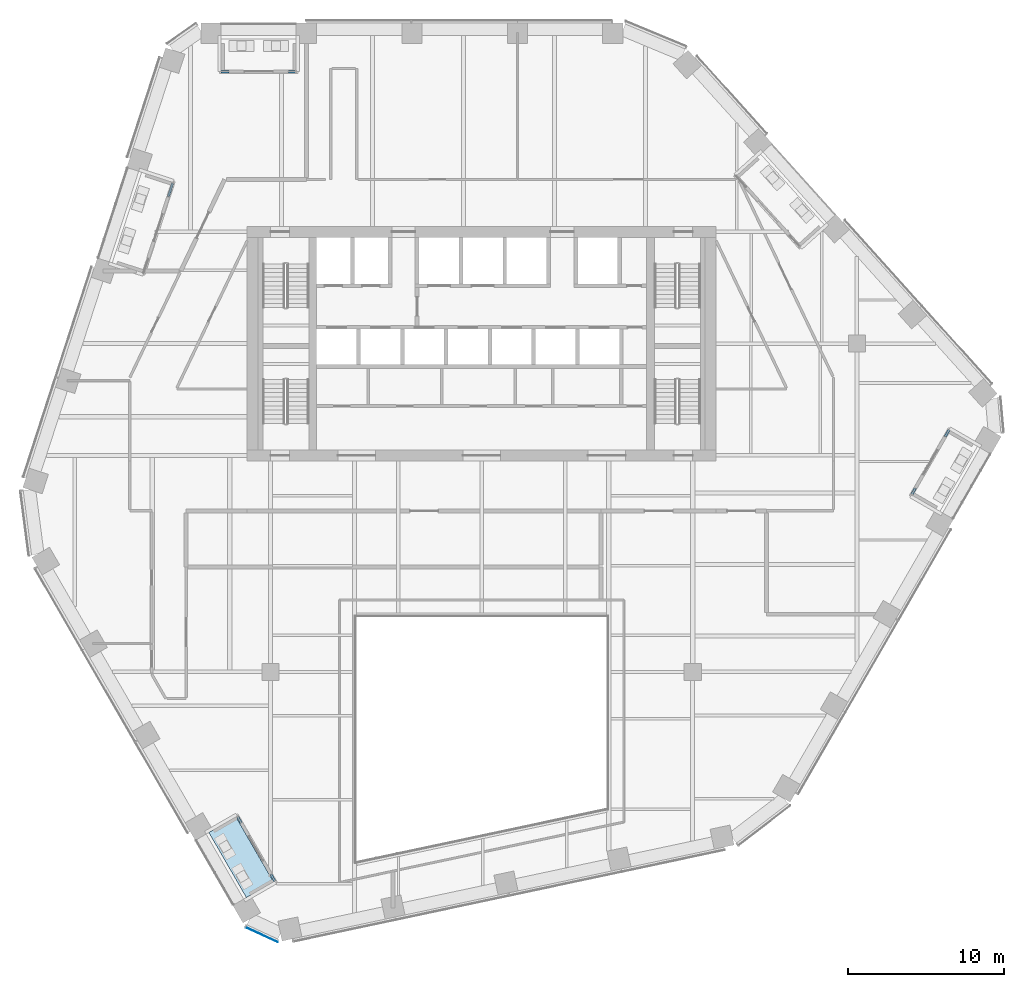
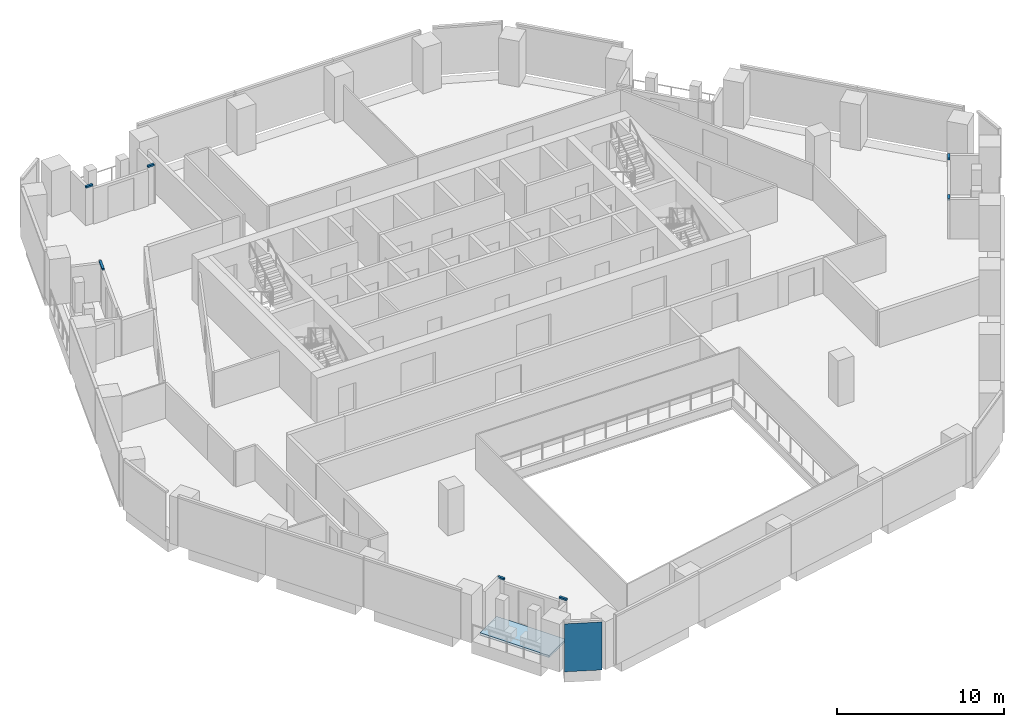
# One storey, part 12 of 26: 7 members, 1 plate, 1 slab, 5 elements without a shape of their own.
"""IFC4 building model written with IfcOpenShell, lengths in metres."""

import ifcopenshell
import ifcopenshell.guid

model = None  # the IFC model being written
_history = None  # IfcOwnerHistory: only IFC2X3 demands one
_inside = {}  # id of a spatial element -> (the spatial element, [elements in it])
_under = {}  # id of a project, library or spatial element -> (it, [spatial elements below it])
_declared = {}  # id of a project -> (the project, [libraries it declares])
_typed = {}  # id of a type object -> (the type object, [elements of that type])
_made_of = {}  # id of a material, layer set ... -> (it, [elements and type objects made of it])


def new_model(schema):
    """Start an empty IFC model of exactly this schema.

    Asked for "IFC4X3", IfcOpenShell would pick the latest addendum, in which some entities
    have other attributes; the version numbers below select the first issue.
    IFC2X3 requires an IfcOwnerHistory on every rooted entity: one is made here for all.
    """
    global model, _history
    if schema == "IFC4X3":
        model = ifcopenshell.file(schema_version=(4, 3, 0, 0))
    else:
        model = ifcopenshell.file(schema=schema)
    _inside.clear()
    _under.clear()
    _declared.clear()
    _typed.clear()
    _made_of.clear()
    _history = None
    if model.schema == "IFC2X3":
        org = make("IfcOrganization", Name="unknown")
        user = make(
            "IfcPersonAndOrganization",
            ThePerson=make("IfcPerson", FamilyName="unknown"),
            TheOrganization=org,
        )
        app = make(
            "IfcApplication",
            ApplicationDeveloper=org,
            Version="unknown",
            ApplicationFullName="unknown",
            ApplicationIdentifier="unknown",
        )
        _history = make(
            "IfcOwnerHistory",
            OwningUser=user,
            OwningApplication=app,
            ChangeAction="ADDED",
            CreationDate=0,
        )
    return model


def make(cls, **values):
    """One entity of the class cls with the attributes given. An attribute that is None is left unset."""
    return model.create_entity(
        cls, **{name: value for name, value in values.items() if value is not None}
    )


def rooted(cls, **values):
    """An entity with a GlobalId (a new one), such as an element, a storey or a relation."""
    return make(cls, GlobalId=ifcopenshell.guid.new(), OwnerHistory=_history, **values)


def si_unit(unit_type, name, prefix=None):
    """IfcSIUnit, for example si_unit("LENGTHUNIT", "METRE", prefix="MILLI")."""
    return make("IfcSIUnit", UnitType=unit_type, Prefix=prefix, Name=name)


def assignment(units):
    """IfcUnitAssignment: the units of a project."""
    return None if units is None else make("IfcUnitAssignment", Units=units)


def point(xyz):
    """IfcCartesianPoint."""
    return None if xyz is None else make("IfcCartesianPoint", Coordinates=xyz)


def direction(xyz):
    """IfcDirection."""
    return None if xyz is None else make("IfcDirection", DirectionRatios=xyz)


def frame(location, z_axis=None, x_axis=None):
    """IfcAxis2Placement3D, a coordinate frame: its origin and axes. An axis left out is left unset."""
    return make(
        "IfcAxis2Placement3D",
        Location=point(location),
        Axis=direction(z_axis),
        RefDirection=direction(x_axis),
    )


def frame_2d(location, x_axis=None):
    """IfcAxis2Placement2D, a coordinate frame in the plane: its origin and x axis."""
    return make(
        "IfcAxis2Placement2D", Location=point(location), RefDirection=direction(x_axis)
    )


def origin():
    """The frame at (0, 0, 0) with its axes left unset."""
    return frame((0.0, 0.0, 0.0))


def origin_2d():
    """The frame at (0, 0) in the plane with its x axis left unset."""
    return frame_2d((0.0, 0.0))


def place(relative_to, where):
    """IfcLocalPlacement: puts the frame where relative to a parent placement (None: the world)."""
    return make(
        "IfcLocalPlacement", PlacementRelTo=relative_to, RelativePlacement=where
    )


def context(
    kind, dimensions, precision=None, world=None, true_north=None, identifier=None
):
    """IfcGeometricRepresentationContext, for example the 3D "Model" context."""
    return make(
        "IfcGeometricRepresentationContext",
        ContextIdentifier=identifier,
        ContextType=kind,
        CoordinateSpaceDimension=dimensions,
        Precision=precision,
        WorldCoordinateSystem=world,
        TrueNorth=true_north,
    )


def subcontext(parent, identifier, kind, view, scale=None):
    """IfcGeometricRepresentationSubContext, for example "Body" below "Model"."""
    return make(
        "IfcGeometricRepresentationSubContext",
        ContextIdentifier=identifier,
        ContextType=kind,
        ParentContext=parent,
        TargetScale=scale,
        TargetView=view,
    )


def project(units=None, contexts=None):
    """IfcProject with its units and contexts."""
    return rooted(
        "IfcProject",
        Name="project",
        RepresentationContexts=contexts,
        UnitsInContext=assignment(units),
    )


def spatial(cls, under=None, at=None, **own):
    """A site, building, storey or space (cls), placed at a placement, below another one or the project."""
    s = rooted(cls, ObjectPlacement=at, **own)
    if under is not None:
        _under.setdefault(under.id(), (under, []))[1].append(s)
    return s


def polyline(points):
    """IfcPolyline through the points."""
    return make("IfcPolyline", Points=[point(p) for p in points])


def profile(cls, at=None, kind="AREA", **sizes):
    """A parametric profile (cls). Its sizes go by their IFC names, for example OverallWidth=200.0."""
    return make(cls, ProfileType=kind, Position=at, **sizes)


def rectangle(**sizes):
    """IfcRectangleProfileDef."""
    return profile("IfcRectangleProfileDef", **sizes)


def outline(outer, holes=None, kind="AREA"):
    """IfcArbitraryClosedProfileDef: a profile drawn as a closed curve; with holes, ...WithVoids."""
    if holes is None:
        return make("IfcArbitraryClosedProfileDef", ProfileType=kind, OuterCurve=outer)
    return make(
        "IfcArbitraryProfileDefWithVoids",
        ProfileType=kind,
        OuterCurve=outer,
        InnerCurves=holes,
    )


def extrude(swept, where, along, depth):
    """IfcExtrudedAreaSolid: the profile swept, set in the frame where, extruded along a direction by depth."""
    return make(
        "IfcExtrudedAreaSolid",
        SweptArea=swept,
        Position=where,
        ExtrudedDirection=direction(along),
        Depth=depth,
    )


def shape(context_of_items, identifier, shape_type, items):
    """IfcShapeRepresentation: the items that make up one representation, for example the "Body"."""
    return make(
        "IfcShapeRepresentation",
        ContextOfItems=context_of_items,
        RepresentationIdentifier=identifier,
        RepresentationType=shape_type,
        Items=items,
    )


def material(Name=None, Category=None):
    """IfcMaterial."""
    return make("IfcMaterial", Name=Name, Category=Category)


def layer(
    of_material, thickness, ventilated=None, Name=None, Category=None, Priority=None
):
    """IfcMaterialLayer: one layer of a wall or slab, of a material (None: an air gap)."""
    return make(
        "IfcMaterialLayer",
        Material=of_material,
        LayerThickness=thickness,
        IsVentilated=ventilated,
        Name=Name,
        Category=Category,
        Priority=Priority,
    )


def layer_set(layers, Name=None):
    """IfcMaterialLayerSet."""
    return make("IfcMaterialLayerSet", MaterialLayers=layers, LayerSetName=Name)


def material_profile(
    of_material, cross_section, Name=None, Category=None, Priority=None
):
    """IfcMaterialProfile: a cross section and its material."""
    return make(
        "IfcMaterialProfile",
        Name=Name,
        Material=of_material,
        Profile=cross_section,
        Priority=Priority,
        Category=Category,
    )


def profile_set(profiles, Name=None, composite=None):
    """IfcMaterialProfileSet."""
    return make(
        "IfcMaterialProfileSet",
        Name=Name,
        MaterialProfiles=profiles,
        CompositeProfile=composite,
    )


def made_of(thing, what):
    """Note that an element or type object is made of a material, layer set ...; save() writes the relation."""
    if what is not None:
        _made_of.setdefault(what.id(), (what, []))[1].append(thing)
    return thing


def type_object(cls, material=None, **own):
    """A type object (cls), such as IfcWallType, which elements share."""
    return made_of(rooted(cls, **own), material)


def element(
    cls,
    number,
    at=None,
    inside=None,
    cuts=None,
    type_object=None,
    material=None,
    context=None,
    identifier="Body",
    shape_type=None,
    held_by="IfcProductDefinitionShape",
    body=None,
    shapes=None,
    **own,
):
    """One element of the class cls, such as IfcWall. Its Tag is "e" and its number.

    at: its placement. inside: the storey or other place that contains it. cuts: it is an
    opening in that element (IfcRelVoidsElement). A single representation is given by context,
    identifier, shape_type and body (its items); several are given by shapes. held_by: the class
    of the entity that holds the representations. save() writes the other relations.
    """
    e = rooted(cls, Tag="e%d" % number, ObjectPlacement=at, **own)
    if body is not None:
        shapes = [shape(context, identifier, shape_type, body)]
    if shapes is not None:
        e.Representation = make(held_by, Representations=shapes)
    if inside is not None:
        _inside.setdefault(inside.id(), (inside, []))[1].append(e)
    if cuts is not None:
        rooted(
            "IfcRelVoidsElement", RelatingBuildingElement=cuts, RelatedOpeningElement=e
        )
    if type_object is not None:
        _typed.setdefault(type_object.id(), (type_object, []))[1].append(e)
    return made_of(e, material)


def aggregate(whole, parts):
    """IfcRelAggregates: a whole, such as a stair, and the parts it consists of."""
    return rooted("IfcRelAggregates", RelatingObject=whole, RelatedObjects=parts)


def save(model, path):
    """Write the relations noted so far, then the file.

    IfcRelAggregates (storeys below a building ...), IfcRelContainedInSpatialStructure (elements
    in a storey), IfcRelDefinesByType, IfcRelAssociatesMaterial and IfcRelDeclares: one each for
    every whole, place, type object, material and project.
    """
    for whole, parts in _under.values():
        aggregate(whole, parts)
    for where, things in _inside.values():
        rooted(
            "IfcRelContainedInSpatialStructure",
            RelatedElements=things,
            RelatingStructure=where,
        )
    for kind, things in _typed.values():
        rooted("IfcRelDefinesByType", RelatedObjects=things, RelatingType=kind)
    for what, things in _made_of.values():
        rooted("IfcRelAssociatesMaterial", RelatedObjects=things, RelatingMaterial=what)
    for by, libraries in _declared.values():
        rooted("IfcRelDeclares", RelatingContext=by, RelatedDefinitions=libraries)
    model.write(path)


model = new_model("IFC4")

# Units and contexts
model_context = context("Model", 3, precision=1e-05, world=origin(), true_north=direction((0.0, 1.0)))
body_context = subcontext(model_context, "Body", "Model", "MODEL_VIEW")
ifc_project = project(units=[si_unit("LENGTHUNIT", "METRE"), si_unit("AREAUNIT", "SQUARE_METRE"), si_unit("VOLUMEUNIT", "CUBIC_METRE"), si_unit("PLANEANGLEUNIT", "RADIAN"), si_unit("MASSUNIT", "GRAM", prefix="KILO")], contexts=[model_context])

# Site, building, storey
site_placement = place(None, origin())
site = spatial("IfcSite", under=ifc_project, at=site_placement, CompositionType="ELEMENT")
building_placement = place(site_placement, origin())
building = spatial("IfcBuilding", under=site, at=building_placement, Name="Isthmus Gate Tower", CompositionType="ELEMENT")
storey_placement = place(building_placement, frame((0.0, 0.0, 203.64990234375)))
storey = spatial("IfcBuildingStorey", under=building, at=storey_placement, Name="L51", CompositionType="ELEMENT", Elevation=203.64990234375)

# Curtain wall, members
ifc_material_1 = material(Name="Aluminium, pale champagne anodised", Category="aluminium")
ifc_layer_1 = layer(ifc_material_1, 0.14990234375)
ifc_layer_set_1 = layer_set([ifc_layer_1], Name="CW-6 LOGGIA BACK WALL GLAZING 150 DEEP")
curtain_wall_type_1 = type_object("IfcCurtainWallType", Name="CW-6 LOGGIA BACK WALL GLAZING 150 DEEP", PredefinedType="NOTDEFINED", material=ifc_layer_set_1)
curtain_wall_1_placement = place(storey_placement, origin())
curtain_wall_1 = element("IfcCurtainWall", 1, at=curtain_wall_1_placement, inside=storey, type_object=curtain_wall_type_1, Name="CW-6 N L51", PredefinedType="NOTDEFINED")
ifc_material_2 = material(Name="Aluminium, pale champagne anodised", Category="aluminium")
ifc_material_profile = material_profile(ifc_material_2, rectangle(XDim=0.14990234375, YDim=0.1201171875, at=origin_2d()), Name="150x120")
ifc_profile_set = profile_set([ifc_material_profile], Name="Aluminium, pale champagne anodised")
member_type = type_object("IfcMemberType", Name="CW-6 TRANSOM 150 X 120", PredefinedType="USERDEFINED", material=ifc_profile_set)
member_1_placement = place(storey_placement, frame((-11.921875, 24.89990234375, 2.840087890625), z_axis=(-1.0, 0.0, 0.0), x_axis=(0.0, -1.0, 0.0)))
member_1 = element("IfcMember", 2, at=member_1_placement, type_object=member_type, Name="CW-6 transom", ObjectType="TRANSOM", PredefinedType="USERDEFINED", context=body_context, shape_type="SweptSolid", body=[
    extrude(rectangle(XDim=0.14990234375, YDim=0.1201171875, at=origin_2d()), origin(), (0.0, 0.0, 1.0), 0.43994140625),
])
member_2_placement = place(storey_placement, frame((-16.161865234375, 24.89990234375, 2.840087890625), z_axis=(-1.0, 0.0, 0.0), x_axis=(0.0, -1.0, 0.0)))
member_2 = element("IfcMember", 3, at=member_2_placement, type_object=member_type, Name="CW-6 transom", ObjectType="TRANSOM", PredefinedType="USERDEFINED", context=body_context, shape_type="SweptSolid", body=[
    extrude(rectangle(XDim=0.14990234375, YDim=0.1201171875, at=origin_2d()), origin(), (0.0, 0.0, 1.0), 0.5),
])
aggregate(curtain_wall_1, [member_1, member_2])

# Curtain wall, member
curtain_wall_2_placement = place(storey_placement, origin())
curtain_wall_2 = element("IfcCurtainWall", 4, at=curtain_wall_2_placement, inside=storey, type_object=curtain_wall_type_1, Name="CW-6 NW L51", PredefinedType="NOTDEFINED")
member_3_placement = place(storey_placement, frame((-19.769775390625, 17.752685546875, 2.840087890625), z_axis=(-0.309104777097, -0.951027989481, 0.0), x_axis=(0.951027989481, -0.309104777097, 0.0)))
member_3 = element("IfcMember", 5, at=member_3_placement, type_object=member_type, Name="CW-6 transom", ObjectType="TRANSOM", PredefinedType="USERDEFINED", context=body_context, shape_type="SweptSolid", body=[
    extrude(rectangle(XDim=0.14990234375, YDim=0.1201171875, at=origin_2d()), origin(), (0.0, 0.0, 1.0), 0.885498046875),
])
aggregate(curtain_wall_2, [member_3])

# Curtain wall, members
curtain_wall_3_placement = place(storey_placement, origin())
curtain_wall_3 = element("IfcCurtainWall", 6, at=curtain_wall_3_placement, inside=storey, type_object=curtain_wall_type_1, Name="CW-6 SW L51", PredefinedType="NOTDEFINED")
member_4_placement = place(storey_placement, frame((-15.60302734375, -22.774658203125, 2.840087890625), z_axis=(0.499898558967, -0.866083962871, 0.0), x_axis=(0.866083962871, 0.499898558967, 0.0)))
member_4 = element("IfcMember", 7, at=member_4_placement, type_object=member_type, Name="CW-6 transom", ObjectType="TRANSOM", PredefinedType="USERDEFINED", context=body_context, shape_type="SweptSolid", body=[
    extrude(rectangle(XDim=0.14990234375, YDim=0.1201171875, at=origin_2d()), origin(), (0.0, 0.0, 1.0), 0.43994140625),
])
member_5_placement = place(storey_placement, frame((-13.483154296875, -26.44677734375, 2.840087890625), z_axis=(0.500131122175, -0.865949687125, 0.0), x_axis=(0.865949687125, 0.500131122175, 0.0)))
member_5 = element("IfcMember", 8, at=member_5_placement, type_object=member_type, Name="CW-6 transom", ObjectType="TRANSOM", PredefinedType="USERDEFINED", context=body_context, shape_type="SweptSolid", body=[
    extrude(rectangle(XDim=0.14990234375, YDim=0.1201171875, at=origin_2d()), origin(), (0.0, 0.0, 1.0), 0.499755859375),
])
aggregate(curtain_wall_3, [member_4, member_5])

curtain_wall_4_placement = place(storey_placement, origin())
curtain_wall_4 = element("IfcCurtainWall", 9, at=curtain_wall_4_placement, inside=storey, type_object=curtain_wall_type_1, Name="CW-6 SE L51", PredefinedType="NOTDEFINED")
member_6_placement = place(storey_placement, frame((27.52490234375, -2.12548828125, 2.840087890625), z_axis=(0.499898558967, 0.866083962871, 0.0), x_axis=(-0.866083962871, 0.499898558967, 0.0)))
member_6 = element("IfcMember", 10, at=member_6_placement, type_object=member_type, Name="CW-6 transom", ObjectType="TRANSOM", PredefinedType="USERDEFINED", context=body_context, shape_type="SweptSolid", body=[
    extrude(rectangle(XDim=0.14990234375, YDim=0.1201171875, at=origin_2d()), origin(), (0.0, 0.0, 1.0), 0.43994140625),
])
member_7_placement = place(storey_placement, frame((29.64501953125, 1.546630859375, 2.840087890625), z_axis=(0.499919672301, 0.866071776036, 0.0), x_axis=(-0.866071776036, 0.499919672301, 0.0)))
member_7 = element("IfcMember", 11, at=member_7_placement, type_object=member_type, Name="CW-6 transom", ObjectType="TRANSOM", PredefinedType="USERDEFINED", context=body_context, shape_type="SweptSolid", body=[
    extrude(rectangle(XDim=0.14990234375, YDim=0.1201171875, at=origin_2d()), origin(), (0.0, 0.0, 1.0), 0.5),
])
aggregate(curtain_wall_4, [member_6, member_7])

# Curtain wall, plate
ifc_material_3 = material(Name="Aluminium, pale champagne anodised", Category="aluminium")
ifc_layer_2 = layer(ifc_material_3, 0.199951171875)
ifc_layer_set_2 = layer_set([ifc_layer_2], Name="CW-1 UNITISED CURTAIN WALL 200 DEEP")
curtain_wall_type_2 = type_object("IfcCurtainWallType", Name="CW-1 UNITISED CURTAIN WALL 200 DEEP", PredefinedType="NOTDEFINED", material=ifc_layer_set_2)
curtain_wall_5_placement = place(storey_placement, origin())
curtain_wall_5 = element("IfcCurtainWall", 12, at=curtain_wall_5_placement, inside=storey, type_object=curtain_wall_type_2, Name="CW-1 SW-S L51", PredefinedType="NOTDEFINED")
ifc_material_4 = material(Name="Laminated low-iron glass, pale blue tint", Category="glass")
ifc_layer_3 = layer(ifc_material_4, 0.035888671875)
ifc_layer_set_3 = layer_set([ifc_layer_3], Name="CW-1 CLEAR GLASS LITE 36")
plate_type = type_object("IfcPlateType", Name="CW-1 CLEAR GLASS LITE 36", PredefinedType="CURTAIN_PANEL", material=ifc_layer_set_3)
plate_placement = place(storey_placement, frame((-14.07373046875, -30.3095703125, 0.0), z_axis=(0.0, 0.0, 1.0), x_axis=(0.907256261367, -0.420578264073, 0.0)))
plate = element("IfcPlate", 13, at=plate_placement, type_object=plate_type, Name="CW-1 glass lite", PredefinedType="CURTAIN_PANEL", context=body_context, shape_type="SweptSolid", body=[
    extrude(rectangle(XDim=2.258544921875, YDim=0.035888671875, at=origin_2d()), origin(), (0.0, 0.0, 1.0), 3.510009765625),
])
aggregate(curtain_wall_5, [plate])

# Slab
ifc_material_5 = material(Name="Concrete f'c 50 MPa", Category="concrete")
ifc_layer_4 = layer(ifc_material_5, 0.14990234375)
ifc_layer_set_4 = layer_set([ifc_layer_4], Name="LOGGIA FLOOR SLAB 150")
slab_type = type_object("IfcSlabType", Name="LOGGIA FLOOR SLAB 150", PredefinedType="FLOOR", material=ifc_layer_set_4)
slab_placement = place(storey_placement, frame((0.0, 0.0, -0.14990234375)))
element("IfcSlab", 14, at=slab_placement, inside=storey, type_object=slab_type, Name="LOGGIA FLOOR", PredefinedType="FLOOR", context=body_context, shape_type="SweptSolid", body=[
    extrude(outline(polyline([(-17.45166015625, -23.772705078125), (-15.0517578125, -27.9296875), (-13.319580078125, -26.9296875), (-15.7197265625, -22.772705078125), (-17.45166015625, -23.772705078125)])), origin(), (0.0, 0.0, 1.0), 0.14990234375),
])

save(model, "model.ifc")
